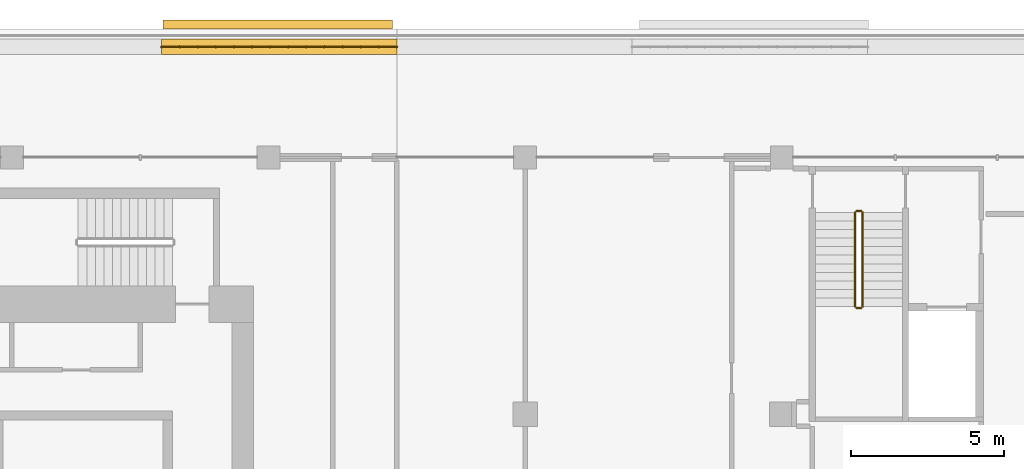
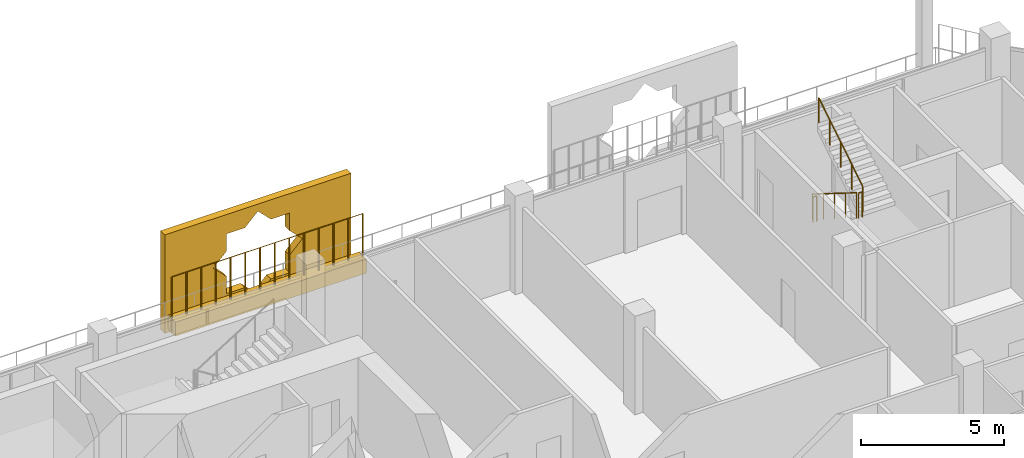
# One storey, part 21 of 22: 5 railings, 2 coverings.
"""IFC4 building model written with IfcOpenShell, lengths in metres."""

from ifc_helpers import new_model, si_unit, direction, frame, origin, origin_2d, place, context, subcontext, project, spatial, polyline, rectangle, circle, outline, extrude, material, material_profile, profile_set, type_object, element, save


model = new_model("IFC4")

# Units and contexts
model_context = context("Model", 3, precision=1e-05, world=origin(), true_north=direction((0.0, 1.0)))
body_context = subcontext(model_context, "Body", "Model", "MODEL_VIEW")
ifc_project = project(units=[si_unit("LENGTHUNIT", "METRE"), si_unit("AREAUNIT", "SQUARE_METRE"), si_unit("VOLUMEUNIT", "CUBIC_METRE"), si_unit("PLANEANGLEUNIT", "RADIAN"), si_unit("MASSUNIT", "GRAM", prefix="KILO")], contexts=[model_context])

# Site, building, storey
site_placement = place(None, origin())
site = spatial("IfcSite", under=ifc_project, at=site_placement, CompositionType="ELEMENT")
building_placement = place(site_placement, origin())
building = spatial("IfcBuilding", under=site, at=building_placement, Name="Kawkab Arch Medical Tower", CompositionType="ELEMENT")
storey_placement = place(building_placement, frame((0.0, 0.0, 294.39990234375)))
storey = spatial("IfcBuildingStorey", under=building, at=storey_placement, Name="L68", CompositionType="ELEMENT", Elevation=294.39990234375)

# Coverings
ifc_material_1 = material(Name="Bronze anodised aluminium mashrabiya panel, eight-point star pattern", Category="aluminium")
ifc_material_profile_1 = material_profile(ifc_material_1, outline(polyline([(-3.75, -2.10009765625), (3.75, -2.10009765625), (3.75, 2.10009765625), (-3.75, 2.10009765625), (-3.75, -2.10009765625)]), holes=[polyline([(1.800048828125, 0.0), (1.272705078125, 0.527099609375), (1.272705078125, 1.272705078125), (0.527099609375, 1.272705078125), (0.0, 1.800048828125), (-0.527099609375, 1.272705078125), (-1.272705078125, 1.272705078125), (-1.272705078125, 0.527099609375), (-1.800048828125, 0.0), (-1.272705078125, -0.527099609375), (-1.272705078125, -1.272705078125), (-0.527099609375, -1.272705078125), (0.0, -1.800048828125), (0.527099609375, -1.272705078125), (1.272705078125, -1.272705078125), (1.272705078125, -0.527099609375), (1.800048828125, 0.0)])]), Name="Mashrabiya panel 7500x4200")
ifc_profile_set_1 = profile_set([ifc_material_profile_1], Name="Bronze anodised aluminium mashrabiya panel, eight-point star pattern")
covering_type_1 = type_object("IfcCoveringType", Name="Mashrabiya panel 7500 x 4200", PredefinedType="USERDEFINED", material=ifc_profile_set_1)
covering_1_placement = place(storey_placement, frame((25.500732421875, 4.199951171875, 1.7001953125), z_axis=(0.0, 1.0, 0.0), x_axis=(-1.0, 0.0, 0.0)))
element("IfcCovering", 1, at=covering_1_placement, inside=storey, type_object=covering_type_1, Name="Mashrabiya panel L68.LOG-01-01.4", ObjectType="SCREEN", PredefinedType="USERDEFINED", context=body_context, shape_type="SweptSolid", body=[
    extrude(outline(polyline([(-3.75, -2.10009765625), (3.75, -2.10009765625), (3.75, 2.10009765625), (-3.75, 2.10009765625), (-3.75, -2.10009765625)]), holes=[polyline([(1.800048828125, 0.0), (1.272705078125, 0.527099609375), (1.272705078125, 1.272705078125), (0.527099609375, 1.272705078125), (0.0, 1.800048828125), (-0.527099609375, 1.272705078125), (-1.272705078125, 1.272705078125), (-1.272705078125, 0.527099609375), (-1.800048828125, 0.0), (-1.272705078125, -0.527099609375), (-1.272705078125, -1.272705078125), (-0.527099609375, -1.272705078125), (0.0, -1.800048828125), (0.527099609375, -1.272705078125), (1.272705078125, -1.272705078125), (1.272705078125, -0.527099609375), (1.800048828125, 0.0)])]), origin(), (0.0, 0.0, 1.0), 0.300048828125),
])
ifc_material_2 = material(Name="Planting soil in a precast trough", Category="concrete")
ifc_material_profile_2 = material_profile(ifc_material_2, rectangle(XDim=0.5, YDim=0.60009765625, at=origin_2d()), Name="Trough 500x600")
ifc_profile_set_2 = profile_set([ifc_material_profile_2], Name="Planting soil in a precast trough")
covering_type_2 = type_object("IfcCoveringType", Name="Planter trough 500 x 600", PredefinedType="USERDEFINED", material=ifc_profile_set_2)
covering_2_placement = place(storey_placement, frame((21.695068359375, 3.6201171875, 0.300048828125), z_axis=(1.0, 0.0, 0.0), x_axis=(0.0, 1.0, 0.0)))
element("IfcCovering", 2, at=covering_2_placement, inside=storey, type_object=covering_type_2, Name="Planter L68.LOG-01-01.15", ObjectType="PLANTER", PredefinedType="USERDEFINED", context=body_context, shape_type="SweptSolid", body=[
    extrude(rectangle(XDim=0.5, YDim=0.60009765625, at=origin_2d()), origin(), (0.0, 0.0, 1.0), 7.704833984375),
])

# Railings
ifc_material_3 = material(Name="Bronze anodised aluminium trellis for climbing plants", Category="aluminium")
railing_type_1 = type_object("IfcRailingType", Name="Planting trellis 2400", PredefinedType="USERDEFINED", material=ifc_material_3)
railing_1_placement = place(storey_placement, frame((21.695068359375, 3.6201171875, 0.0)))
element("IfcRailing", 3, at=railing_1_placement, inside=storey, type_object=railing_type_1, Name="Planting trellis L68.LOG-01-01.15", ObjectType="TRELLIS", PredefinedType="USERDEFINED", context=body_context, shape_type="SweptSolid", body=[
    extrude(circle(Radius=0.01513671875, at=origin_2d()), frame((0.0, 0.0, 2.384765625), z_axis=(1.0, 0.0, 0.0), x_axis=(0.0, 1.0, 0.0)), (0.0, 0.0, 1.0), 7.704833984375),
    extrude(circle(Radius=0.030029296875, at=origin_2d()), origin(), (0.0, 0.0, 1.0), 2.369873046875),
    extrude(circle(Radius=0.030029296875, at=origin_2d()), frame((0.5927734375, 0.0, 0.0)), (0.0, 0.0, 1.0), 2.369873046875),
    extrude(circle(Radius=0.030029296875, at=origin_2d()), frame((1.185302734375, 0.0, 0.0)), (0.0, 0.0, 1.0), 2.369873046875),
    extrude(circle(Radius=0.030029296875, at=origin_2d()), frame((1.778076171875, 0.0, 0.0)), (0.0, 0.0, 1.0), 2.369873046875),
    extrude(circle(Radius=0.030029296875, at=origin_2d()), frame((2.37060546875, 0.0, 0.0)), (0.0, 0.0, 1.0), 2.369873046875),
    extrude(circle(Radius=0.030029296875, at=origin_2d()), frame((2.96337890625, 0.0, 0.0)), (0.0, 0.0, 1.0), 2.369873046875),
    extrude(circle(Radius=0.030029296875, at=origin_2d()), frame((3.55615234375, 0.0, 0.0)), (0.0, 0.0, 1.0), 2.369873046875),
    extrude(circle(Radius=0.030029296875, at=origin_2d()), frame((4.148681640625, 0.0, 0.0)), (0.0, 0.0, 1.0), 2.369873046875),
    extrude(circle(Radius=0.030029296875, at=origin_2d()), frame((4.741455078125, 0.0, 0.0)), (0.0, 0.0, 1.0), 2.369873046875),
    extrude(circle(Radius=0.030029296875, at=origin_2d()), frame((5.334228515625, 0.0, 0.0)), (0.0, 0.0, 1.0), 2.369873046875),
    extrude(circle(Radius=0.030029296875, at=origin_2d()), frame((5.9267578125, 0.0, 0.0)), (0.0, 0.0, 1.0), 2.369873046875),
    extrude(circle(Radius=0.030029296875, at=origin_2d()), frame((6.51953125, 0.0, 0.0)), (0.0, 0.0, 1.0), 2.369873046875),
    extrude(circle(Radius=0.030029296875, at=origin_2d()), frame((7.112060546875, 0.0, 0.0)), (0.0, 0.0, 1.0), 2.369873046875),
    extrude(circle(Radius=0.030029296875, at=origin_2d()), frame((7.704833984375, 0.0, 0.0)), (0.0, 0.0, 1.0), 2.369873046875),
])
ifc_material_4 = material(Name="Stainless steel", Category="steel")
railing_type_2 = type_object("IfcRailingType", Name="Stair guard 1100", PredefinedType="GUARDRAIL", material=ifc_material_4)
railing_2_placement = place(storey_placement, frame((44.39990234375, -1.800048828125, 0.175048828125)))
element("IfcRailing", 4, at=railing_2_placement, inside=storey, type_object=railing_type_2, Name="L68 ST5 stair guard 1", PredefinedType="GUARDRAIL", context=body_context, shape_type="SweptSolid", body=[
    extrude(circle(Radius=0.02392578125, at=origin_2d()), frame((0.0, 0.0, 1.076171875), z_axis=(0.0, -0.847979421464, 0.530029150871), x_axis=(1.0, 0.0, 0.0)), (0.0, 0.0, 1.0), 3.632080078125),
    extrude(circle(Radius=0.02099609375, at=origin_2d()), origin(), (0.0, 0.0, 1.0), 1.052001953125),
    extrude(circle(Radius=0.02099609375, at=origin_2d()), frame((0.0, -0.77001953125, 0.481201171875)), (0.0, 0.0, 1.0), 1.052001953125),
    extrude(circle(Radius=0.02099609375, at=origin_2d()), frame((0.0, -1.5400390625, 0.96240234375)), (0.0, 0.0, 1.0), 1.052001953125),
    extrude(circle(Radius=0.02099609375, at=origin_2d()), frame((0.0, -2.309814453125, 1.44384765625)), (0.0, 0.0, 1.0), 1.052001953125),
    extrude(circle(Radius=0.02099609375, at=origin_2d()), frame((0.0, -3.079833984375, 1.925048828125)), (0.0, 0.0, 1.0), 1.052001953125),
])
railing_3_placement = place(storey_placement, frame((44.449951171875, -4.929931640625, 2.10009765625)))
element("IfcRailing", 5, at=railing_3_placement, inside=storey, type_object=railing_type_2, Name="L68 ST5 stair guard 2", PredefinedType="GUARDRAIL", context=body_context, shape_type="SweptSolid", body=[
    extrude(circle(Radius=0.02392578125, at=origin_2d()), frame((0.0, 0.0, 1.076171875), z_axis=(1.0, 0.0, 0.0), x_axis=(0.0, 1.0, 0.0)), (0.0, 0.0, 1.0), 0.150146484375),
    extrude(circle(Radius=0.02099609375, at=origin_2d()), origin(), (0.0, 0.0, 1.0), 1.052001953125),
    extrude(circle(Radius=0.02099609375, at=origin_2d()), frame((0.150146484375, 0.0, 0.0)), (0.0, 0.0, 1.0), 1.052001953125),
])
railing_4_placement = place(storey_placement, frame((44.64990234375, -4.8798828125, 2.275146484375)))
element("IfcRailing", 6, at=railing_4_placement, inside=storey, type_object=railing_type_2, Name="L68 ST5 stair guard 3", PredefinedType="GUARDRAIL", context=body_context, shape_type="SweptSolid", body=[
    extrude(circle(Radius=0.02392578125, at=origin_2d()), frame((0.0, 0.0, 1.076171875), z_axis=(0.0, 0.847979421464, 0.530029150871), x_axis=(-1.0, 0.0, 0.0)), (0.0, 0.0, 1.0), 3.632080078125),
    extrude(circle(Radius=0.02099609375, at=origin_2d()), origin(), (0.0, 0.0, 1.0), 1.052001953125),
    extrude(circle(Radius=0.02099609375, at=origin_2d()), frame((0.0, 0.77001953125, 0.481201171875)), (0.0, 0.0, 1.0), 1.052001953125),
    extrude(circle(Radius=0.02099609375, at=origin_2d()), frame((0.0, 1.5400390625, 0.96240234375)), (0.0, 0.0, 1.0), 1.052001953125),
    extrude(circle(Radius=0.02099609375, at=origin_2d()), frame((0.0, 2.309814453125, 1.44384765625)), (0.0, 0.0, 1.0), 1.052001953125),
    extrude(circle(Radius=0.02099609375, at=origin_2d()), frame((0.0, 3.079833984375, 1.925048828125)), (0.0, 0.0, 1.0), 1.052001953125),
])
railing_5_placement = place(storey_placement, frame((44.449951171875, -1.75, 0.0)))
element("IfcRailing", 7, at=railing_5_placement, inside=storey, type_object=railing_type_2, Name="L68 ST5 stair guard 4", PredefinedType="GUARDRAIL", context=body_context, shape_type="SweptSolid", body=[
    extrude(circle(Radius=0.02392578125, at=origin_2d()), frame((0.0, 0.0, 1.076171875), z_axis=(1.0, 0.0, 0.0), x_axis=(0.0, 1.0, 0.0)), (0.0, 0.0, 1.0), 0.150146484375),
    extrude(circle(Radius=0.02099609375, at=origin_2d()), origin(), (0.0, 0.0, 1.0), 1.052001953125),
    extrude(circle(Radius=0.02099609375, at=origin_2d()), frame((0.150146484375, 0.0, 0.0)), (0.0, 0.0, 1.0), 1.052001953125),
])

save(model, "model.ifc")
